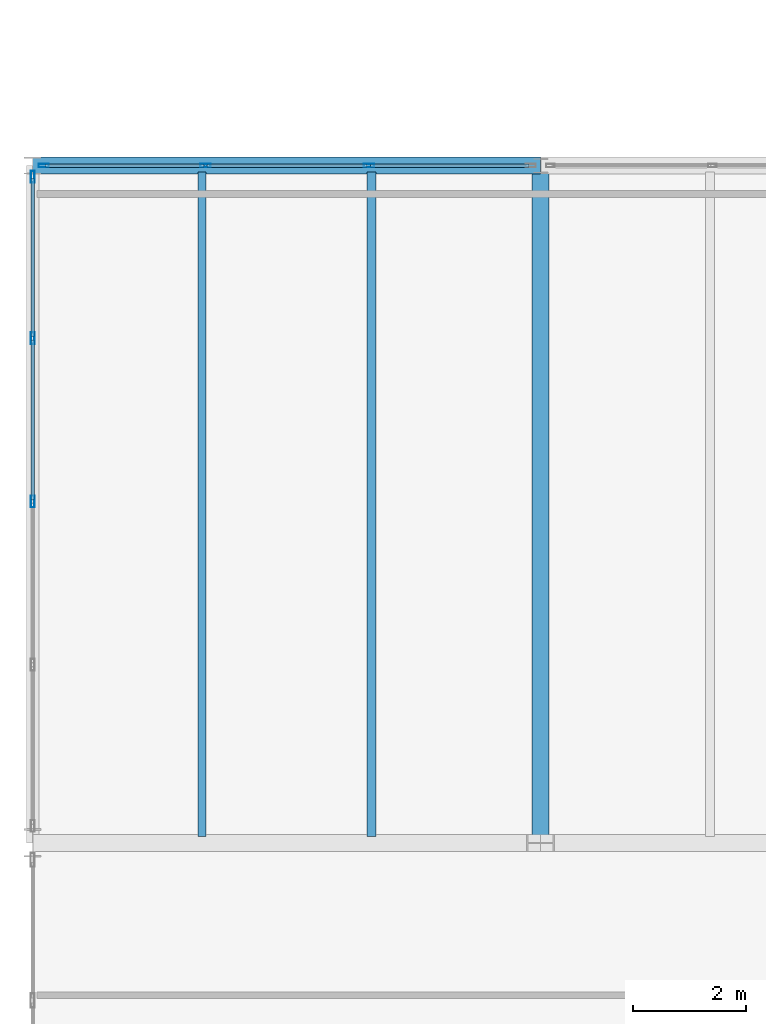
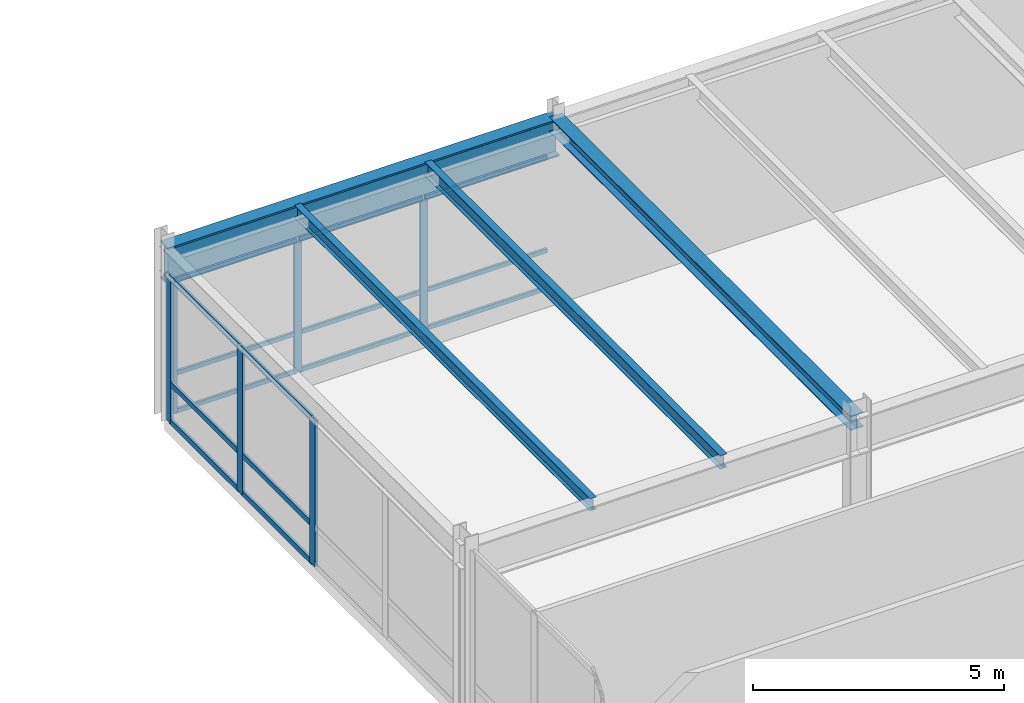
# One storey, part 22 of 115: 21 members, 4 beams, 2 elements without a shape of their own.
"""IFC4 building model written with IfcOpenShell, lengths in metres."""

from ifc_helpers import new_model, si_unit, direction, frame, origin, origin_2d, place, context, subcontext, project, spatial, hollow_rectangle, i_section, extrude, material, layer, layer_set, material_profile, profile_set, type_object, element, aggregate, save


model = new_model("IFC4")

# Units and contexts
model_context = context("Model", 3, precision=1e-05, world=origin(), true_north=direction((0.0, 1.0)))
body_context = subcontext(model_context, "Body", "Model", "MODEL_VIEW")
ifc_project = project(units=[si_unit("LENGTHUNIT", "METRE"), si_unit("AREAUNIT", "SQUARE_METRE"), si_unit("VOLUMEUNIT", "CUBIC_METRE"), si_unit("PLANEANGLEUNIT", "RADIAN"), si_unit("MASSUNIT", "GRAM", prefix="KILO")], contexts=[model_context])

# Site, building, storey
site_placement = place(None, origin())
site = spatial("IfcSite", under=ifc_project, at=site_placement, CompositionType="ELEMENT")
building_placement = place(site_placement, origin())
building = spatial("IfcBuilding", under=site, at=building_placement, Name="Montelvaro Courts of Justice", CompositionType="ELEMENT")
storey_placement = place(building_placement, frame((0.0, 0.0, 9.89990234375)))
storey = spatial("IfcBuildingStorey", under=building, at=storey_placement, Name="L02", CompositionType="ELEMENT", Elevation=9.89990234375)

# Beams
ifc_material_1 = material(Name="Steel S355", Category="steel")
ifc_material_profile_1 = material_profile(ifc_material_1, i_section(OverallWidth=0.300048828125, OverallDepth=0.35009765625, WebThickness=0.010009765625, FlangeThickness=0.017578125, at=origin_2d()), Name="HEA 360")
ifc_profile_set_1 = profile_set([ifc_material_profile_1], Name="Steel S355")
beam_type_1 = type_object("IfcBeamType", Name="Beam_HEA360", PredefinedType="USERDEFINED", material=ifc_profile_set_1)
beam_1_placement = place(storey_placement, frame((27.0, 42.0, 3.985107421875), z_axis=(0.0, 1.0, 0.0), x_axis=(-1.0, 0.0, 0.0)))
element("IfcBeam", 1, at=beam_1_placement, inside=storey, type_object=beam_type_1, Name="Beam B-16 L02", ObjectType="GIRDER", PredefinedType="USERDEFINED", context=body_context, shape_type="SweptSolid", body=[
    extrude(i_section(OverallWidth=0.300048828125, OverallDepth=0.35009765625, WebThickness=0.010009765625, FlangeThickness=0.017578125, at=origin_2d()), origin(), (0.0, 0.0, 1.0), 12.0),
])
ifc_material_profile_2 = material_profile(ifc_material_1, i_section(OverallWidth=0.302001953125, OverallDepth=0.909912109375, WebThickness=0.02099609375, FlangeThickness=0.0400390625, at=origin_2d()), Name="HEM 900")
ifc_profile_set_2 = profile_set([ifc_material_profile_2], Name="Steel S355")
beam_type_2 = type_object("IfcBeamType", Name="Beam_HEM900", PredefinedType="USERDEFINED", material=ifc_profile_set_2)
beam_2_placement = place(storey_placement, frame((18.0, 54.0, 3.705078125), z_axis=(1.0, 0.0, 0.0), x_axis=(0.0, 1.0, 0.0)))
element("IfcBeam", 2, at=beam_2_placement, inside=storey, type_object=beam_type_2, Name="Beam B-31 L02", ObjectType="GIRDER", PredefinedType="USERDEFINED", context=body_context, shape_type="SweptSolid", body=[
    extrude(i_section(OverallWidth=0.302001953125, OverallDepth=0.909912109375, WebThickness=0.02099609375, FlangeThickness=0.0400390625, at=origin_2d()), origin(), (0.0, 0.0, 1.0), 9.0),
])
ifc_material_profile_3 = material_profile(ifc_material_1, i_section(OverallWidth=0.14990234375, OverallDepth=0.300048828125, WebThickness=0.007080078125, FlangeThickness=0.0107421875, at=origin_2d()), Name="IPE 300")
ifc_profile_set_3 = profile_set([ifc_material_profile_3], Name="Steel S355")
beam_type_3 = type_object("IfcBeamType", Name="Beam_IPE300", PredefinedType="BEAM", material=ifc_profile_set_3)
beam_3_placement = place(storey_placement, frame((21.0, 42.110107421875, 4.010009765625), z_axis=(0.0, 1.0, 0.0), x_axis=(-1.0, 0.0, 0.0)))
element("IfcBeam", 3, at=beam_3_placement, inside=storey, type_object=beam_type_3, Name="Beam B-05 L02", PredefinedType="BEAM", context=body_context, shape_type="SweptSolid", body=[
    extrude(i_section(OverallWidth=0.14990234375, OverallDepth=0.300048828125, WebThickness=0.007080078125, FlangeThickness=0.0107421875, at=origin_2d()), origin(), (0.0, 0.0, 1.0), 11.77978515625),
])
ifc_material_profile_4 = material_profile(ifc_material_1, i_section(OverallWidth=0.159912109375, OverallDepth=0.330078125, WebThickness=0.007568359375, FlangeThickness=0.011474609375, at=origin_2d()), Name="IPE 330")
ifc_profile_set_4 = profile_set([ifc_material_profile_4], Name="Steel S355")
beam_type_4 = type_object("IfcBeamType", Name="Beam_IPE330", PredefinedType="BEAM", material=ifc_profile_set_4)
beam_4_placement = place(storey_placement, frame((24.0, 42.110107421875, 3.9951171875), z_axis=(0.0, 1.0, 0.0), x_axis=(-1.0, 0.0, 0.0)))
element("IfcBeam", 4, at=beam_4_placement, inside=storey, type_object=beam_type_4, Name="Beam B-06 L02", PredefinedType="BEAM", context=body_context, shape_type="SweptSolid", body=[
    extrude(i_section(OverallWidth=0.159912109375, OverallDepth=0.330078125, WebThickness=0.007568359375, FlangeThickness=0.011474609375, at=origin_2d()), origin(), (0.0, 0.0, 1.0), 11.77978515625),
])

# Curtain wall, members
ifc_material_2 = material(Name="Anodised aluminium EN AW-6063", Category="aluminium")
ifc_layer_1 = layer(ifc_material_2, 0.159912109375)
ifc_layer_set_1 = layer_set([ifc_layer_1], Name="Anodised aluminium EN AW-6063")
curtain_wall_type_1 = type_object("IfcCurtainWallType", Name="CurtainWall_18_868x418", PredefinedType="USERDEFINED", material=ifc_layer_set_1)
curtain_wall_1_placement = place(storey_placement, origin())
curtain_wall_1 = element("IfcCurtainWall", 5, at=curtain_wall_1_placement, inside=storey, type_object=curtain_wall_type_1, Name="Curtain Wall CW-18 (L02)", ObjectType="CURTAIN WALL", PredefinedType="USERDEFINED")
ifc_material_profile_5 = material_profile(ifc_material_2, hollow_rectangle(XDim=0.06005859375, YDim=0.179931640625, WallThickness=0.00439453125, at=origin_2d()), Name="ALU-M 60x180")
ifc_profile_set_5 = profile_set([ifc_material_profile_5], Name="Anodised aluminium EN AW-6063")
member_type_1 = type_object("IfcMemberType", Name="CurtainWall_Mullion_60x180", PredefinedType="MULLION", material=ifc_profile_set_5)
member_1_placement = place(storey_placement, frame((23.958251953125, 54.0, 0.0), z_axis=(0.0, 0.0, 1.0), x_axis=(0.0, -1.0, 0.0)))
member_1 = element("IfcMember", 6, at=member_1_placement, type_object=member_type_1, Name="CW-18 mullion 2", PredefinedType="MULLION", context=body_context, shape_type="SweptSolid", body=[
    extrude(hollow_rectangle(XDim=0.06005859375, YDim=0.179931640625, WallThickness=0.00439453125, at=origin_2d()), origin(), (0.0, 0.0, 1.0), 3.2451171875),
])
member_2_placement = place(storey_placement, frame((21.061767578125, 54.0, 0.0), z_axis=(0.0, 0.0, 1.0), x_axis=(0.0, -1.0, 0.0)))
member_2 = element("IfcMember", 7, at=member_2_placement, type_object=member_type_1, Name="CW-18 mullion 3", PredefinedType="MULLION", context=body_context, shape_type="SweptSolid", body=[
    extrude(hollow_rectangle(XDim=0.06005859375, YDim=0.179931640625, WallThickness=0.00439453125, at=origin_2d()), origin(), (0.0, 0.0, 1.0), 3.2451171875),
])
member_3_placement = place(storey_placement, frame((18.195068359375, 54.0, 0.0), z_axis=(0.0, 0.0, 1.0), x_axis=(0.0, -1.0, 0.0)))
member_3 = element("IfcMember", 8, at=member_3_placement, type_object=member_type_1, Name="CW-18 mullion 4", PredefinedType="MULLION", context=body_context, shape_type="SweptSolid", body=[
    extrude(hollow_rectangle(XDim=0.06005859375, YDim=0.179931640625, WallThickness=0.00439453125, at=origin_2d()), origin(), (0.0, 0.0, 1.0), 3.2451171875),
])

ifc_layer_2 = layer(ifc_material_2, 0.159912109375)
ifc_layer_set_2 = layer_set([ifc_layer_2], Name="Anodised aluminium EN AW-6063")
curtain_wall_type_2 = type_object("IfcCurtainWallType", Name="CurtainWall_23_1154x418", PredefinedType="USERDEFINED", material=ifc_layer_set_2)
curtain_wall_2_placement = place(storey_placement, origin())
curtain_wall_2 = element("IfcCurtainWall", 9, at=curtain_wall_2_placement, inside=storey, type_object=curtain_wall_type_2, Name="Curtain Wall CW-23 (L02)", ObjectType="CURTAIN WALL", PredefinedType="USERDEFINED")
ifc_material_profile_6 = material_profile(ifc_material_2, hollow_rectangle(XDim=0.06494140625, YDim=0.2099609375, WallThickness=0.0048828125, at=origin_2d()), Name="ALU-M 65x210")
ifc_profile_set_6 = profile_set([ifc_material_profile_6], Name="Anodised aluminium EN AW-6063")
member_type_2 = type_object("IfcMemberType", Name="CurtainWall_Mullion_65x210", PredefinedType="MULLION", material=ifc_profile_set_6)
member_4_placement = place(storey_placement, frame((18.0, 53.802490234375, 0.0), z_axis=(0.0, 0.0, 1.0), x_axis=(1.0, 0.0, 0.0)))
member_4 = element("IfcMember", 10, at=member_4_placement, type_object=member_type_2, Name="CW-23 mullion 1", PredefinedType="MULLION", context=body_context, shape_type="SweptSolid", body=[
    extrude(hollow_rectangle(XDim=0.06494140625, YDim=0.2099609375, WallThickness=0.0048828125, at=origin_2d()), origin(), (0.0, 0.0, 1.0), 3.55517578125),
])
member_5_placement = place(storey_placement, frame((18.0, 50.9423828125, 0.0), z_axis=(0.0, 0.0, 1.0), x_axis=(1.0, 0.0, 0.0)))
member_5 = element("IfcMember", 11, at=member_5_placement, type_object=member_type_2, Name="CW-23 mullion 2", PredefinedType="MULLION", context=body_context, shape_type="SweptSolid", body=[
    extrude(hollow_rectangle(XDim=0.06494140625, YDim=0.2099609375, WallThickness=0.0048828125, at=origin_2d()), origin(), (0.0, 0.0, 1.0), 3.55517578125),
])
member_6_placement = place(storey_placement, frame((18.0, 48.050048828125, 0.0), z_axis=(0.0, 0.0, 1.0), x_axis=(1.0, 0.0, 0.0)))
member_6 = element("IfcMember", 12, at=member_6_placement, type_object=member_type_2, Name="CW-23 mullion 3", PredefinedType="MULLION", context=body_context, shape_type="SweptSolid", body=[
    extrude(hollow_rectangle(XDim=0.06494140625, YDim=0.2099609375, WallThickness=0.0048828125, at=origin_2d()), origin(), (0.0, 0.0, 1.0), 3.55517578125),
])

# Member
ifc_material_profile_7 = material_profile(ifc_material_2, hollow_rectangle(XDim=0.06005859375, YDim=0.10009765625, WallThickness=0.00341796875, at=origin_2d()), Name="ALU-T 60x100")
ifc_profile_set_7 = profile_set([ifc_material_profile_7], Name="Anodised aluminium EN AW-6063")
member_type_3 = type_object("IfcMemberType", Name="CurtainWall_Transom_60x100", PredefinedType="USERDEFINED", material=ifc_profile_set_7)
member_7_placement = place(storey_placement, frame((26.794921875, 54.0, 0.030029296875), z_axis=(-1.0, 0.0, 0.0), x_axis=(0.0, -1.0, 0.0)))
member_7 = element("IfcMember", 13, at=member_7_placement, type_object=member_type_3, Name="CW-18 transom 1.1", ObjectType="TRANSOM", PredefinedType="USERDEFINED", context=body_context, shape_type="SweptSolid", body=[
    extrude(hollow_rectangle(XDim=0.06005859375, YDim=0.10009765625, WallThickness=0.00341796875, at=origin_2d()), origin(), (0.0, 0.0, 1.0), 2.806640625),
])

member_8_placement = place(storey_placement, frame((26.794921875, 54.0, 0.9501953125), z_axis=(-1.0, 0.0, 0.0), x_axis=(0.0, -1.0, 0.0)))
member_8 = element("IfcMember", 14, at=member_8_placement, type_object=member_type_3, Name="CW-18 transom 1.2", ObjectType="TRANSOM", PredefinedType="USERDEFINED", context=body_context, shape_type="SweptSolid", body=[
    extrude(hollow_rectangle(XDim=0.06005859375, YDim=0.10009765625, WallThickness=0.00341796875, at=origin_2d()), origin(), (0.0, 0.0, 1.0), 2.806640625),
])

member_9_placement = place(storey_placement, frame((26.794921875, 54.0, 3.215087890625), z_axis=(-1.0, 0.0, 0.0), x_axis=(0.0, -1.0, 0.0)))
member_9 = element("IfcMember", 15, at=member_9_placement, type_object=member_type_3, Name="CW-18 transom 1.3", ObjectType="TRANSOM", PredefinedType="USERDEFINED", context=body_context, shape_type="SweptSolid", body=[
    extrude(hollow_rectangle(XDim=0.06005859375, YDim=0.10009765625, WallThickness=0.00341796875, at=origin_2d()), origin(), (0.0, 0.0, 1.0), 2.806640625),
])

member_10_placement = place(storey_placement, frame((23.92822265625, 54.0, 0.030029296875), z_axis=(-1.0, 0.0, 0.0), x_axis=(0.0, -1.0, 0.0)))
member_10 = element("IfcMember", 16, at=member_10_placement, type_object=member_type_3, Name="CW-18 transom 2.1", ObjectType="TRANSOM", PredefinedType="USERDEFINED", context=body_context, shape_type="SweptSolid", body=[
    extrude(hollow_rectangle(XDim=0.06005859375, YDim=0.10009765625, WallThickness=0.00341796875, at=origin_2d()), origin(), (0.0, 0.0, 1.0), 2.836669921875),
])

member_11_placement = place(storey_placement, frame((23.92822265625, 54.0, 0.9501953125), z_axis=(-1.0, 0.0, 0.0), x_axis=(0.0, -1.0, 0.0)))
member_11 = element("IfcMember", 17, at=member_11_placement, type_object=member_type_3, Name="CW-18 transom 2.2", ObjectType="TRANSOM", PredefinedType="USERDEFINED", context=body_context, shape_type="SweptSolid", body=[
    extrude(hollow_rectangle(XDim=0.06005859375, YDim=0.10009765625, WallThickness=0.00341796875, at=origin_2d()), origin(), (0.0, 0.0, 1.0), 2.836669921875),
])

member_12_placement = place(storey_placement, frame((23.92822265625, 54.0, 3.215087890625), z_axis=(-1.0, 0.0, 0.0), x_axis=(0.0, -1.0, 0.0)))
member_12 = element("IfcMember", 18, at=member_12_placement, type_object=member_type_3, Name="CW-18 transom 2.3", ObjectType="TRANSOM", PredefinedType="USERDEFINED", context=body_context, shape_type="SweptSolid", body=[
    extrude(hollow_rectangle(XDim=0.06005859375, YDim=0.10009765625, WallThickness=0.00341796875, at=origin_2d()), origin(), (0.0, 0.0, 1.0), 2.836669921875),
])

member_13_placement = place(storey_placement, frame((21.03173828125, 54.0, 0.030029296875), z_axis=(-1.0, 0.0, 0.0), x_axis=(0.0, -1.0, 0.0)))
member_13 = element("IfcMember", 19, at=member_13_placement, type_object=member_type_3, Name="CW-18 transom 3.1", ObjectType="TRANSOM", PredefinedType="USERDEFINED", context=body_context, shape_type="SweptSolid", body=[
    extrude(hollow_rectangle(XDim=0.06005859375, YDim=0.10009765625, WallThickness=0.00341796875, at=origin_2d()), origin(), (0.0, 0.0, 1.0), 2.806640625),
])

member_14_placement = place(storey_placement, frame((21.03173828125, 54.0, 0.9501953125), z_axis=(-1.0, 0.0, 0.0), x_axis=(0.0, -1.0, 0.0)))
member_14 = element("IfcMember", 20, at=member_14_placement, type_object=member_type_3, Name="CW-18 transom 3.2", ObjectType="TRANSOM", PredefinedType="USERDEFINED", context=body_context, shape_type="SweptSolid", body=[
    extrude(hollow_rectangle(XDim=0.06005859375, YDim=0.10009765625, WallThickness=0.00341796875, at=origin_2d()), origin(), (0.0, 0.0, 1.0), 2.806640625),
])

member_15_placement = place(storey_placement, frame((21.03173828125, 54.0, 3.215087890625), z_axis=(-1.0, 0.0, 0.0), x_axis=(0.0, -1.0, 0.0)))
member_15 = element("IfcMember", 21, at=member_15_placement, type_object=member_type_3, Name="CW-18 transom 3.3", ObjectType="TRANSOM", PredefinedType="USERDEFINED", context=body_context, shape_type="SweptSolid", body=[
    extrude(hollow_rectangle(XDim=0.06005859375, YDim=0.10009765625, WallThickness=0.00341796875, at=origin_2d()), origin(), (0.0, 0.0, 1.0), 2.806640625),
])

aggregate(curtain_wall_1, [member_1, member_2, member_3, member_7, member_8, member_9, member_10, member_11, member_12, member_13, member_14, member_15])

ifc_material_profile_8 = material_profile(ifc_material_2, hollow_rectangle(XDim=0.06005859375, YDim=0.1298828125, WallThickness=0.00390625, at=origin_2d()), Name="ALU-T 60x130")
ifc_profile_set_8 = profile_set([ifc_material_profile_8], Name="Anodised aluminium EN AW-6063")
member_type_4 = type_object("IfcMemberType", Name="CurtainWall_Transom_60x130", PredefinedType="USERDEFINED", material=ifc_profile_set_8)
member_16_placement = place(storey_placement, frame((18.0, 53.77001953125, 0.030029296875), z_axis=(0.0, -1.0, 0.0), x_axis=(1.0, 0.0, 0.0)))
member_16 = element("IfcMember", 22, at=member_16_placement, type_object=member_type_4, Name="CW-23 transom 1.1", ObjectType="TRANSOM", PredefinedType="USERDEFINED", context=body_context, shape_type="SweptSolid", body=[
    extrude(hollow_rectangle(XDim=0.06005859375, YDim=0.1298828125, WallThickness=0.00390625, at=origin_2d()), origin(), (0.0, 0.0, 1.0), 2.794921875),
])

member_17_placement = place(storey_placement, frame((18.0, 53.77001953125, 0.9501953125), z_axis=(0.0, -1.0, 0.0), x_axis=(1.0, 0.0, 0.0)))
member_17 = element("IfcMember", 23, at=member_17_placement, type_object=member_type_4, Name="CW-23 transom 1.2", ObjectType="TRANSOM", PredefinedType="USERDEFINED", context=body_context, shape_type="SweptSolid", body=[
    extrude(hollow_rectangle(XDim=0.06005859375, YDim=0.1298828125, WallThickness=0.00390625, at=origin_2d()), origin(), (0.0, 0.0, 1.0), 2.794921875),
])

member_18_placement = place(storey_placement, frame((18.0, 53.77001953125, 3.525146484375), z_axis=(0.0, -1.0, 0.0), x_axis=(1.0, 0.0, 0.0)))
member_18 = element("IfcMember", 24, at=member_18_placement, type_object=member_type_4, Name="CW-23 transom 1.3", ObjectType="TRANSOM", PredefinedType="USERDEFINED", context=body_context, shape_type="SweptSolid", body=[
    extrude(hollow_rectangle(XDim=0.06005859375, YDim=0.1298828125, WallThickness=0.00390625, at=origin_2d()), origin(), (0.0, 0.0, 1.0), 2.794921875),
])

member_19_placement = place(storey_placement, frame((18.0, 50.909912109375, 0.030029296875), z_axis=(0.0, -1.0, 0.0), x_axis=(1.0, 0.0, 0.0)))
member_19 = element("IfcMember", 25, at=member_19_placement, type_object=member_type_4, Name="CW-23 transom 2.1", ObjectType="TRANSOM", PredefinedType="USERDEFINED", context=body_context, shape_type="SweptSolid", body=[
    extrude(hollow_rectangle(XDim=0.06005859375, YDim=0.1298828125, WallThickness=0.00390625, at=origin_2d()), origin(), (0.0, 0.0, 1.0), 2.827392578125),
])

member_20_placement = place(storey_placement, frame((18.0, 50.909912109375, 0.9501953125), z_axis=(0.0, -1.0, 0.0), x_axis=(1.0, 0.0, 0.0)))
member_20 = element("IfcMember", 26, at=member_20_placement, type_object=member_type_4, Name="CW-23 transom 2.2", ObjectType="TRANSOM", PredefinedType="USERDEFINED", context=body_context, shape_type="SweptSolid", body=[
    extrude(hollow_rectangle(XDim=0.06005859375, YDim=0.1298828125, WallThickness=0.00390625, at=origin_2d()), origin(), (0.0, 0.0, 1.0), 2.827392578125),
])

member_21_placement = place(storey_placement, frame((18.0, 50.909912109375, 3.525146484375), z_axis=(0.0, -1.0, 0.0), x_axis=(1.0, 0.0, 0.0)))
member_21 = element("IfcMember", 27, at=member_21_placement, type_object=member_type_4, Name="CW-23 transom 2.3", ObjectType="TRANSOM", PredefinedType="USERDEFINED", context=body_context, shape_type="SweptSolid", body=[
    extrude(hollow_rectangle(XDim=0.06005859375, YDim=0.1298828125, WallThickness=0.00390625, at=origin_2d()), origin(), (0.0, 0.0, 1.0), 2.827392578125),
])

aggregate(curtain_wall_2, [member_4, member_5, member_6, member_16, member_17, member_18, member_19, member_20, member_21])

save(model, "model.ifc")
